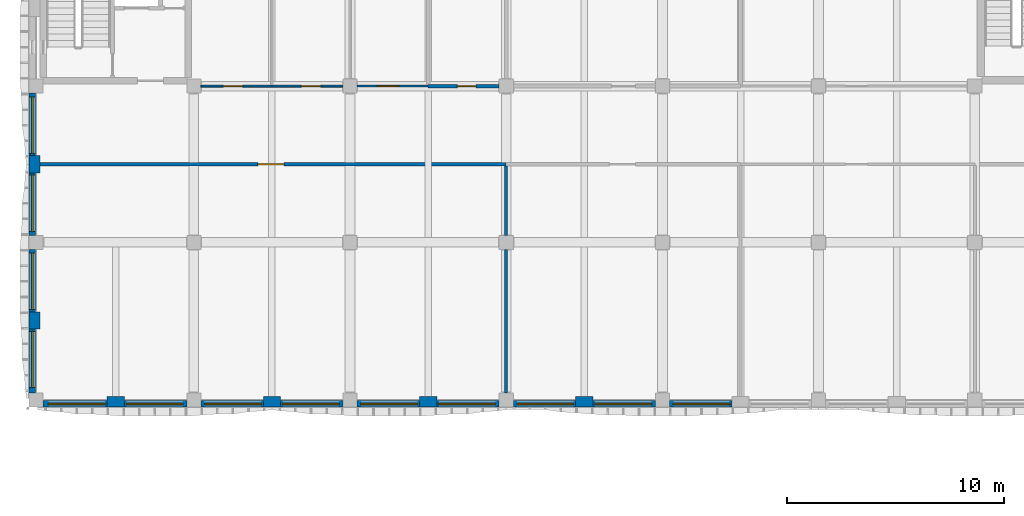
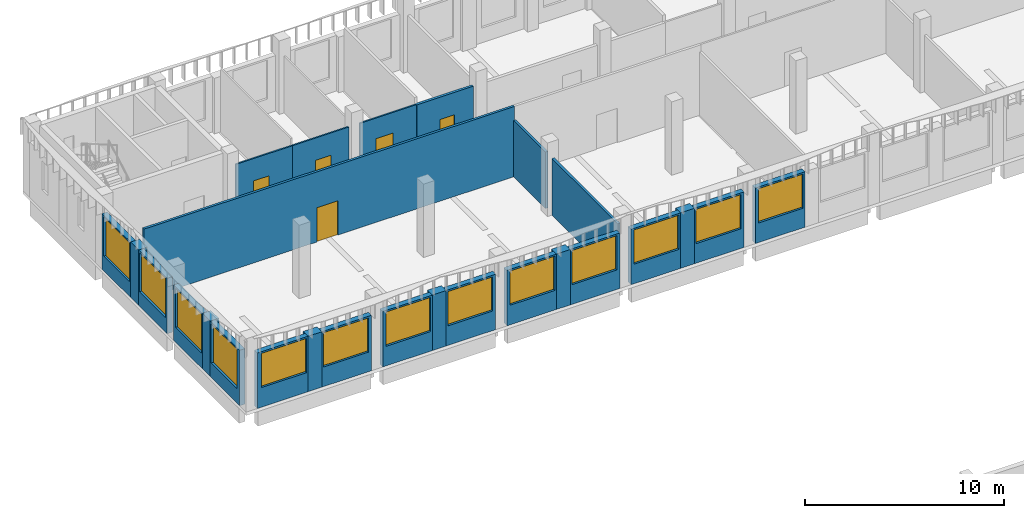
# One storey, part 26 of 58: 26 walls, 13 windows, 5 doors, 18 openings.
"""IFC4 building model written with IfcOpenShell, lengths in metres."""

from ifc_helpers import new_model, si_unit, direction, frame, frame_2d, origin, place, context, subcontext, project, spatial, rectangle, extrude, material, layer, layer_set, type_object, element, fill, save


model = new_model("IFC4")

# Units and contexts
model_context = context("Model", 3, precision=1e-05, world=origin(), true_north=direction((0.0, 1.0)))
body_context = subcontext(model_context, "Body", "Model", "MODEL_VIEW")
ifc_project = project(units=[si_unit("LENGTHUNIT", "METRE"), si_unit("AREAUNIT", "SQUARE_METRE"), si_unit("VOLUMEUNIT", "CUBIC_METRE"), si_unit("PLANEANGLEUNIT", "RADIAN"), si_unit("MASSUNIT", "GRAM", prefix="KILO")], contexts=[model_context])

# Site, building, storey
site_placement = place(None, origin())
site = spatial("IfcSite", under=ifc_project, at=site_placement, CompositionType="ELEMENT")
building_placement = place(site_placement, origin())
building = spatial("IfcBuilding", under=site, at=building_placement, Name="Ussher Court Research Institute", CompositionType="ELEMENT")
storey_placement = place(building_placement, frame((0.0, 0.0, 9.89990234375)))
storey = spatial("IfcBuildingStorey", under=building, at=storey_placement, Name="L02", CompositionType="ELEMENT", Elevation=9.89990234375)

# Wall, opening, window
ifc_material_1 = material(Name="Blockwork with cream render", Category="masonry")
ifc_layer_1 = layer(ifc_material_1, 0.300048828125)
ifc_layer_set_1 = layer_set([ifc_layer_1], Name="Blockwork with cream render")
wall_type_1 = type_object("IfcWallType", Name="External wall 300 cream render", PredefinedType="SOLIDWALL", material=ifc_layer_set_1)
wall_1_placement = place(storey_placement, frame((35.0, 68.550048828125, 0.0), z_axis=(0.0, 0.0, 1.0), x_axis=(-1.0, 0.0, 0.0)))
wall_1 = element("IfcWall", 1, at=wall_1_placement, inside=storey, type_object=wall_type_1, Name="External wall EW1 L02", PredefinedType="SOLIDWALL", context=body_context, shape_type="SweptSolid", body=[
    extrude(rectangle(XDim=2.875, YDim=0.300048828125, at=frame_2d((1.4375, 0.0))), origin(), (0.0, 0.0, 1.0), 3.400146484375),
])
opening_1_placement = place(wall_1_placement, frame((0.10009765625, 0.0, 1.199951171875)))
opening_1 = element("IfcOpeningElement", 2, at=opening_1_placement, cuts=wall_1, Name="Opening W08", PredefinedType="OPENING", context=body_context, shape_type="SweptSolid", body=[
    extrude(rectangle(XDim=2.60009765625, YDim=2.10009765625, at=frame_2d((1.300048828125, 1.050048828125))), frame((0.0, 0.16015625, 0.0), z_axis=(0.0, -1.0, 0.0), x_axis=(1.0, 0.0, 0.0)), (0.0, 0.0, 1.0), 0.320068359375),
])
ifc_material_2 = material(Name="Bronze anodised aluminium with double glazing", Category="aluminium")
window_type_1 = type_object("IfcWindowType", Name="Dry laboratory bay window 2600x2100", PartitioningType="DOUBLE_PANEL_VERTICAL", PredefinedType="WINDOW", material=ifc_material_2)
window_1_placement = place(opening_1_placement, origin())
window_1 = element("IfcWindow", 3, at=window_1_placement, inside=storey, type_object=window_type_1, Name="Window W08 L02", OverallHeight=2.10009765625, OverallWidth=2.60009765625, PartitioningType="SINGLE_PANEL", PredefinedType="WINDOW", context=body_context, shape_type="SweptSolid", body=[
    extrude(rectangle(XDim=2.60009765625, YDim=2.10009765625, at=frame_2d((1.300048828125, 1.050048828125))), frame((0.0, 0.030029296875, 0.0), z_axis=(0.0, -1.0, 0.0), x_axis=(1.0, 0.0, 0.0)), (0.0, 0.0, 1.0), 0.06005859375),
])
fill(opening_1, window_1)

wall_2_placement = place(storey_placement, frame((31.47509765625, 68.550048828125, 0.0), z_axis=(0.0, 0.0, 1.0), x_axis=(-1.0, 0.0, 0.0)))
wall_2 = element("IfcWall", 4, at=wall_2_placement, inside=storey, type_object=wall_type_1, Name="External wall EW1 L02", PredefinedType="SOLIDWALL", context=body_context, shape_type="SweptSolid", body=[
    extrude(rectangle(XDim=2.875, YDim=0.300048828125, at=frame_2d((1.4375, 0.0))), origin(), (0.0, 0.0, 1.0), 3.400146484375),
])
opening_2_placement = place(wall_2_placement, frame((0.175048828125, 0.0, 1.199951171875)))
opening_2 = element("IfcOpeningElement", 5, at=opening_2_placement, cuts=wall_2, Name="Opening W08", PredefinedType="OPENING", context=body_context, shape_type="SweptSolid", body=[
    extrude(rectangle(XDim=2.60009765625, YDim=2.10009765625, at=frame_2d((1.300048828125, 1.050048828125))), frame((0.0, 0.16015625, 0.0), z_axis=(0.0, -1.0, 0.0), x_axis=(1.0, 0.0, 0.0)), (0.0, 0.0, 1.0), 0.320068359375),
])
window_2_placement = place(opening_2_placement, origin())
window_2 = element("IfcWindow", 6, at=window_2_placement, inside=storey, type_object=window_type_1, Name="Window W08 L02", OverallHeight=2.10009765625, OverallWidth=2.60009765625, PartitioningType="SINGLE_PANEL", PredefinedType="WINDOW", context=body_context, shape_type="SweptSolid", body=[
    extrude(rectangle(XDim=2.60009765625, YDim=2.10009765625, at=frame_2d((1.300048828125, 1.050048828125))), frame((0.0, 0.030029296875, 0.0), z_axis=(0.0, -1.0, 0.0), x_axis=(1.0, 0.0, 0.0)), (0.0, 0.0, 1.0), 0.06005859375),
])
fill(opening_2, window_2)

wall_3_placement = place(storey_placement, frame((27.800048828125, 68.550048828125, 0.0), z_axis=(0.0, 0.0, 1.0), x_axis=(-1.0, 0.0, 0.0)))
wall_3 = element("IfcWall", 7, at=wall_3_placement, inside=storey, type_object=wall_type_1, Name="External wall EW1 L02", PredefinedType="SOLIDWALL", context=body_context, shape_type="SweptSolid", body=[
    extrude(rectangle(XDim=2.875, YDim=0.300048828125, at=frame_2d((1.4375, 0.0))), origin(), (0.0, 0.0, 1.0), 3.400146484375),
])
opening_3_placement = place(wall_3_placement, frame((0.10009765625, 0.0, 1.199951171875)))
opening_3 = element("IfcOpeningElement", 8, at=opening_3_placement, cuts=wall_3, Name="Opening W08", PredefinedType="OPENING", context=body_context, shape_type="SweptSolid", body=[
    extrude(rectangle(XDim=2.60009765625, YDim=2.10009765625, at=frame_2d((1.300048828125, 1.050048828125))), frame((0.0, 0.16015625, 0.0), z_axis=(0.0, -1.0, 0.0), x_axis=(1.0, 0.0, 0.0)), (0.0, 0.0, 1.0), 0.320068359375),
])
window_3_placement = place(opening_3_placement, origin())
window_3 = element("IfcWindow", 9, at=window_3_placement, inside=storey, type_object=window_type_1, Name="Window W08 L02", OverallHeight=2.10009765625, OverallWidth=2.60009765625, PartitioningType="SINGLE_PANEL", PredefinedType="WINDOW", context=body_context, shape_type="SweptSolid", body=[
    extrude(rectangle(XDim=2.60009765625, YDim=2.10009765625, at=frame_2d((1.300048828125, 1.050048828125))), frame((0.0, 0.030029296875, 0.0), z_axis=(0.0, -1.0, 0.0), x_axis=(1.0, 0.0, 0.0)), (0.0, 0.0, 1.0), 0.06005859375),
])
fill(opening_3, window_3)

wall_4_placement = place(storey_placement, frame((24.27490234375, 68.550048828125, 0.0), z_axis=(0.0, 0.0, 1.0), x_axis=(-1.0, 0.0, 0.0)))
wall_4 = element("IfcWall", 10, at=wall_4_placement, inside=storey, type_object=wall_type_1, Name="External wall EW1 L02", PredefinedType="SOLIDWALL", context=body_context, shape_type="SweptSolid", body=[
    extrude(rectangle(XDim=2.875, YDim=0.300048828125, at=frame_2d((1.4375, 0.0))), origin(), (0.0, 0.0, 1.0), 3.400146484375),
])
opening_4_placement = place(wall_4_placement, frame((0.175048828125, 0.0, 1.199951171875)))
opening_4 = element("IfcOpeningElement", 11, at=opening_4_placement, cuts=wall_4, Name="Opening W08", PredefinedType="OPENING", context=body_context, shape_type="SweptSolid", body=[
    extrude(rectangle(XDim=2.60009765625, YDim=2.10009765625, at=frame_2d((1.300048828125, 1.050048828125))), frame((0.0, 0.16015625, 0.0), z_axis=(0.0, -1.0, 0.0), x_axis=(1.0, 0.0, 0.0)), (0.0, 0.0, 1.0), 0.320068359375),
])
window_4_placement = place(opening_4_placement, origin())
window_4 = element("IfcWindow", 12, at=window_4_placement, inside=storey, type_object=window_type_1, Name="Window W08 L02", OverallHeight=2.10009765625, OverallWidth=2.60009765625, PartitioningType="SINGLE_PANEL", PredefinedType="WINDOW", context=body_context, shape_type="SweptSolid", body=[
    extrude(rectangle(XDim=2.60009765625, YDim=2.10009765625, at=frame_2d((1.300048828125, 1.050048828125))), frame((0.0, 0.030029296875, 0.0), z_axis=(0.0, -1.0, 0.0), x_axis=(1.0, 0.0, 0.0)), (0.0, 0.0, 1.0), 0.06005859375),
])
fill(opening_4, window_4)

wall_5_placement = place(storey_placement, frame((20.60009765625, 68.550048828125, 0.0), z_axis=(0.0, 0.0, 1.0), x_axis=(-1.0, 0.0, 0.0)))
wall_5 = element("IfcWall", 13, at=wall_5_placement, inside=storey, type_object=wall_type_1, Name="External wall EW1 L02", PredefinedType="SOLIDWALL", context=body_context, shape_type="SweptSolid", body=[
    extrude(rectangle(XDim=2.875, YDim=0.300048828125, at=frame_2d((1.4375, 0.0))), origin(), (0.0, 0.0, 1.0), 3.400146484375),
])
opening_5_placement = place(wall_5_placement, frame((0.10009765625, 0.0, 1.199951171875)))
opening_5 = element("IfcOpeningElement", 14, at=opening_5_placement, cuts=wall_5, Name="Opening W08", PredefinedType="OPENING", context=body_context, shape_type="SweptSolid", body=[
    extrude(rectangle(XDim=2.60009765625, YDim=2.10009765625, at=frame_2d((1.300048828125, 1.050048828125))), frame((0.0, 0.16015625, 0.0), z_axis=(0.0, -1.0, 0.0), x_axis=(1.0, 0.0, 0.0)), (0.0, 0.0, 1.0), 0.320068359375),
])
window_5_placement = place(opening_5_placement, origin())
window_5 = element("IfcWindow", 15, at=window_5_placement, inside=storey, type_object=window_type_1, Name="Window W08 L02", OverallHeight=2.10009765625, OverallWidth=2.60009765625, PartitioningType="SINGLE_PANEL", PredefinedType="WINDOW", context=body_context, shape_type="SweptSolid", body=[
    extrude(rectangle(XDim=2.60009765625, YDim=2.10009765625, at=frame_2d((1.300048828125, 1.050048828125))), frame((0.0, 0.030029296875, 0.0), z_axis=(0.0, -1.0, 0.0), x_axis=(1.0, 0.0, 0.0)), (0.0, 0.0, 1.0), 0.06005859375),
])
fill(opening_5, window_5)

wall_6_placement = place(storey_placement, frame((17.074951171875, 68.550048828125, 0.0), z_axis=(0.0, 0.0, 1.0), x_axis=(-1.0, 0.0, 0.0)))
wall_6 = element("IfcWall", 16, at=wall_6_placement, inside=storey, type_object=wall_type_1, Name="External wall EW1 L02", PredefinedType="SOLIDWALL", context=body_context, shape_type="SweptSolid", body=[
    extrude(rectangle(XDim=2.875, YDim=0.300048828125, at=frame_2d((1.4375, 0.0))), origin(), (0.0, 0.0, 1.0), 3.400146484375),
])
opening_6_placement = place(wall_6_placement, frame((0.175048828125, 0.0, 1.199951171875)))
opening_6 = element("IfcOpeningElement", 17, at=opening_6_placement, cuts=wall_6, Name="Opening W08", PredefinedType="OPENING", context=body_context, shape_type="SweptSolid", body=[
    extrude(rectangle(XDim=2.60009765625, YDim=2.10009765625, at=frame_2d((1.300048828125, 1.050048828125))), frame((0.0, 0.16015625, 0.0), z_axis=(0.0, -1.0, 0.0), x_axis=(1.0, 0.0, 0.0)), (0.0, 0.0, 1.0), 0.320068359375),
])
window_6_placement = place(opening_6_placement, origin())
window_6 = element("IfcWindow", 18, at=window_6_placement, inside=storey, type_object=window_type_1, Name="Window W08 L02", OverallHeight=2.10009765625, OverallWidth=2.60009765625, PartitioningType="SINGLE_PANEL", PredefinedType="WINDOW", context=body_context, shape_type="SweptSolid", body=[
    extrude(rectangle(XDim=2.60009765625, YDim=2.10009765625, at=frame_2d((1.300048828125, 1.050048828125))), frame((0.0, 0.030029296875, 0.0), z_axis=(0.0, -1.0, 0.0), x_axis=(1.0, 0.0, 0.0)), (0.0, 0.0, 1.0), 0.06005859375),
])
fill(opening_6, window_6)

wall_7_placement = place(storey_placement, frame((13.39990234375, 68.550048828125, 0.0), z_axis=(0.0, 0.0, 1.0), x_axis=(-1.0, 0.0, 0.0)))
wall_7 = element("IfcWall", 19, at=wall_7_placement, inside=storey, type_object=wall_type_1, Name="External wall EW1 L02", PredefinedType="SOLIDWALL", context=body_context, shape_type="SweptSolid", body=[
    extrude(rectangle(XDim=2.875, YDim=0.300048828125, at=frame_2d((1.4375, 0.0))), origin(), (0.0, 0.0, 1.0), 3.400146484375),
])
opening_7_placement = place(wall_7_placement, frame((0.10009765625, 0.0, 1.199951171875)))
opening_7 = element("IfcOpeningElement", 20, at=opening_7_placement, cuts=wall_7, Name="Opening W08", PredefinedType="OPENING", context=body_context, shape_type="SweptSolid", body=[
    extrude(rectangle(XDim=2.60009765625, YDim=2.10009765625, at=frame_2d((1.300048828125, 1.050048828125))), frame((0.0, 0.16015625, 0.0), z_axis=(0.0, -1.0, 0.0), x_axis=(1.0, 0.0, 0.0)), (0.0, 0.0, 1.0), 0.320068359375),
])
window_7_placement = place(opening_7_placement, origin())
window_7 = element("IfcWindow", 21, at=window_7_placement, inside=storey, type_object=window_type_1, Name="Window W08 L02", OverallHeight=2.10009765625, OverallWidth=2.60009765625, PartitioningType="SINGLE_PANEL", PredefinedType="WINDOW", context=body_context, shape_type="SweptSolid", body=[
    extrude(rectangle(XDim=2.60009765625, YDim=2.10009765625, at=frame_2d((1.300048828125, 1.050048828125))), frame((0.0, 0.030029296875, 0.0), z_axis=(0.0, -1.0, 0.0), x_axis=(1.0, 0.0, 0.0)), (0.0, 0.0, 1.0), 0.06005859375),
])
fill(opening_7, window_7)

wall_8_placement = place(storey_placement, frame((9.875, 68.550048828125, 0.0), z_axis=(0.0, 0.0, 1.0), x_axis=(-1.0, 0.0, 0.0)))
wall_8 = element("IfcWall", 22, at=wall_8_placement, inside=storey, type_object=wall_type_1, Name="External wall EW1 L02", PredefinedType="SOLIDWALL", context=body_context, shape_type="SweptSolid", body=[
    extrude(rectangle(XDim=2.875, YDim=0.300048828125, at=frame_2d((1.4375, 0.0))), origin(), (0.0, 0.0, 1.0), 3.400146484375),
])
opening_8_placement = place(wall_8_placement, frame((0.175048828125, 0.0, 1.199951171875)))
opening_8 = element("IfcOpeningElement", 23, at=opening_8_placement, cuts=wall_8, Name="Opening W08", PredefinedType="OPENING", context=body_context, shape_type="SweptSolid", body=[
    extrude(rectangle(XDim=2.60009765625, YDim=2.10009765625, at=frame_2d((1.300048828125, 1.050048828125))), frame((0.0, 0.16015625, 0.0), z_axis=(0.0, -1.0, 0.0), x_axis=(1.0, 0.0, 0.0)), (0.0, 0.0, 1.0), 0.320068359375),
])
window_8_placement = place(opening_8_placement, origin())
window_8 = element("IfcWindow", 24, at=window_8_placement, inside=storey, type_object=window_type_1, Name="Window W08 L02", OverallHeight=2.10009765625, OverallWidth=2.60009765625, PartitioningType="SINGLE_PANEL", PredefinedType="WINDOW", context=body_context, shape_type="SweptSolid", body=[
    extrude(rectangle(XDim=2.60009765625, YDim=2.10009765625, at=frame_2d((1.300048828125, 1.050048828125))), frame((0.0, 0.030029296875, 0.0), z_axis=(0.0, -1.0, 0.0), x_axis=(1.0, 0.0, 0.0)), (0.0, 0.0, 1.0), 0.06005859375),
])
fill(opening_8, window_8)

wall_9_placement = place(storey_placement, frame((6.199951171875, 68.550048828125, 0.0), z_axis=(0.0, 0.0, 1.0), x_axis=(-1.0, 0.0, 0.0)))
wall_9 = element("IfcWall", 25, at=wall_9_placement, inside=storey, type_object=wall_type_1, Name="External wall EW1 L02", PredefinedType="SOLIDWALL", context=body_context, shape_type="SweptSolid", body=[
    extrude(rectangle(XDim=2.949951171875, YDim=0.300048828125, at=frame_2d((1.47509765625, 0.0))), origin(), (0.0, 0.0, 1.0), 3.400146484375),
])
opening_9_placement = place(wall_9_placement, frame((0.10009765625, 0.0, 1.199951171875)))
opening_9 = element("IfcOpeningElement", 26, at=opening_9_placement, cuts=wall_9, Name="Opening W08", PredefinedType="OPENING", context=body_context, shape_type="SweptSolid", body=[
    extrude(rectangle(XDim=2.60009765625, YDim=2.10009765625, at=frame_2d((1.300048828125, 1.050048828125))), frame((0.0, 0.16015625, 0.0), z_axis=(0.0, -1.0, 0.0), x_axis=(1.0, 0.0, 0.0)), (0.0, 0.0, 1.0), 0.320068359375),
])
window_9_placement = place(opening_9_placement, origin())
window_9 = element("IfcWindow", 27, at=window_9_placement, inside=storey, type_object=window_type_1, Name="Window W08 L02", OverallHeight=2.10009765625, OverallWidth=2.60009765625, PartitioningType="SINGLE_PANEL", PredefinedType="WINDOW", context=body_context, shape_type="SweptSolid", body=[
    extrude(rectangle(XDim=2.60009765625, YDim=2.10009765625, at=frame_2d((1.300048828125, 1.050048828125))), frame((0.0, 0.030029296875, 0.0), z_axis=(0.0, -1.0, 0.0), x_axis=(1.0, 0.0, 0.0)), (0.0, 0.0, 1.0), 0.06005859375),
])
fill(opening_9, window_9)

wall_10_placement = place(storey_placement, frame((2.75, 69.050048828125, 0.0), z_axis=(0.0, 0.0, 1.0), x_axis=(0.0, 1.0, 0.0)))
wall_10 = element("IfcWall", 28, at=wall_10_placement, inside=storey, type_object=wall_type_1, Name="External wall EW1 L02", PredefinedType="SOLIDWALL", context=body_context, shape_type="SweptSolid", body=[
    extrude(rectangle(XDim=2.949951171875, YDim=0.300048828125, at=frame_2d((1.47509765625, 0.0))), origin(), (0.0, 0.0, 1.0), 3.400146484375),
])
opening_10_placement = place(wall_10_placement, frame((0.25, 0.0, 0.89990234375)))
opening_10 = element("IfcOpeningElement", 29, at=opening_10_placement, cuts=wall_10, Name="Opening W01", PredefinedType="OPENING", context=body_context, shape_type="SweptSolid", body=[
    extrude(rectangle(XDim=2.60009765625, YDim=2.39990234375, at=frame_2d((1.300048828125, 1.199951171875))), frame((0.0, 0.16015625, 0.0), z_axis=(0.0, -1.0, 0.0), x_axis=(1.0, 0.0, 0.0)), (0.0, 0.0, 1.0), 0.320068359375),
])
ifc_material_3 = material(Name="Bronze anodised aluminium with double glazing", Category="aluminium")
window_type_2 = type_object("IfcWindowType", Name="Laboratory bay window 2600x2400", PartitioningType="DOUBLE_PANEL_VERTICAL", PredefinedType="WINDOW", material=ifc_material_3)
window_10_placement = place(opening_10_placement, origin())
window_10 = element("IfcWindow", 30, at=window_10_placement, inside=storey, type_object=window_type_2, Name="Window W01 L02", OverallHeight=2.39990234375, OverallWidth=2.60009765625, PartitioningType="SINGLE_PANEL", PredefinedType="WINDOW", context=body_context, shape_type="SweptSolid", body=[
    extrude(rectangle(XDim=2.60009765625, YDim=2.39990234375, at=frame_2d((1.300048828125, 1.199951171875))), frame((0.0, 0.030029296875, 0.0), z_axis=(0.0, -1.0, 0.0), x_axis=(1.0, 0.0, 0.0)), (0.0, 0.0, 1.0), 0.06005859375),
])
fill(opening_10, window_10)

wall_11_placement = place(storey_placement, frame((2.75, 72.800048828125, 0.0), z_axis=(0.0, 0.0, 1.0), x_axis=(0.0, 1.0, 0.0)))
wall_11 = element("IfcWall", 31, at=wall_11_placement, inside=storey, type_object=wall_type_1, Name="External wall EW1 L02", PredefinedType="SOLIDWALL", context=body_context, shape_type="SweptSolid", body=[
    extrude(rectangle(XDim=2.875, YDim=0.300048828125, at=frame_2d((1.4375, 0.0))), origin(), (0.0, 0.0, 1.0), 3.400146484375),
])
opening_11_placement = place(wall_11_placement, frame((0.10009765625, 0.0, 0.89990234375)))
opening_11 = element("IfcOpeningElement", 32, at=opening_11_placement, cuts=wall_11, Name="Opening W01", PredefinedType="OPENING", context=body_context, shape_type="SweptSolid", body=[
    extrude(rectangle(XDim=2.60009765625, YDim=2.39990234375, at=frame_2d((1.300048828125, 1.199951171875))), frame((0.0, 0.16015625, 0.0), z_axis=(0.0, -1.0, 0.0), x_axis=(1.0, 0.0, 0.0)), (0.0, 0.0, 1.0), 0.320068359375),
])
window_11_placement = place(opening_11_placement, origin())
window_11 = element("IfcWindow", 33, at=window_11_placement, inside=storey, type_object=window_type_2, Name="Window W01 L02", OverallHeight=2.39990234375, OverallWidth=2.60009765625, PartitioningType="SINGLE_PANEL", PredefinedType="WINDOW", context=body_context, shape_type="SweptSolid", body=[
    extrude(rectangle(XDim=2.60009765625, YDim=2.39990234375, at=frame_2d((1.300048828125, 1.199951171875))), frame((0.0, 0.030029296875, 0.0), z_axis=(0.0, -1.0, 0.0), x_axis=(1.0, 0.0, 0.0)), (0.0, 0.0, 1.0), 0.06005859375),
])
fill(opening_11, window_11)

wall_12_placement = place(storey_placement, frame((2.75, 76.324951171875, 0.0), z_axis=(0.0, 0.0, 1.0), x_axis=(0.0, 1.0, 0.0)))
wall_12 = element("IfcWall", 34, at=wall_12_placement, inside=storey, type_object=wall_type_1, Name="External wall EW1 L02", PredefinedType="SOLIDWALL", context=body_context, shape_type="SweptSolid", body=[
    extrude(rectangle(XDim=2.875, YDim=0.300048828125, at=frame_2d((1.4375, 0.0))), origin(), (0.0, 0.0, 1.0), 3.400146484375),
])
opening_12_placement = place(wall_12_placement, frame((0.175048828125, 0.0, 0.89990234375)))
opening_12 = element("IfcOpeningElement", 35, at=opening_12_placement, cuts=wall_12, Name="Opening W01", PredefinedType="OPENING", context=body_context, shape_type="SweptSolid", body=[
    extrude(rectangle(XDim=2.60009765625, YDim=2.39990234375, at=frame_2d((1.300048828125, 1.199951171875))), frame((0.0, 0.16015625, 0.0), z_axis=(0.0, -1.0, 0.0), x_axis=(1.0, 0.0, 0.0)), (0.0, 0.0, 1.0), 0.320068359375),
])
window_12_placement = place(opening_12_placement, origin())
window_12 = element("IfcWindow", 36, at=window_12_placement, inside=storey, type_object=window_type_2, Name="Window W01 L02", OverallHeight=2.39990234375, OverallWidth=2.60009765625, PartitioningType="SINGLE_PANEL", PredefinedType="WINDOW", context=body_context, shape_type="SweptSolid", body=[
    extrude(rectangle(XDim=2.60009765625, YDim=2.39990234375, at=frame_2d((1.300048828125, 1.199951171875))), frame((0.0, 0.030029296875, 0.0), z_axis=(0.0, -1.0, 0.0), x_axis=(1.0, 0.0, 0.0)), (0.0, 0.0, 1.0), 0.06005859375),
])
fill(opening_12, window_12)

wall_13_placement = place(storey_placement, frame((2.75, 80.0, 0.0), z_axis=(0.0, 0.0, 1.0), x_axis=(0.0, 1.0, 0.0)))
wall_13 = element("IfcWall", 37, at=wall_13_placement, inside=storey, type_object=wall_type_1, Name="External wall EW1 L02", PredefinedType="SOLIDWALL", context=body_context, shape_type="SweptSolid", body=[
    extrude(rectangle(XDim=2.875, YDim=0.300048828125, at=frame_2d((1.4375, 0.0))), origin(), (0.0, 0.0, 1.0), 3.400146484375),
])
opening_13_placement = place(wall_13_placement, frame((0.10009765625, 0.0, 0.89990234375)))
opening_13 = element("IfcOpeningElement", 38, at=opening_13_placement, cuts=wall_13, Name="Opening W01", PredefinedType="OPENING", context=body_context, shape_type="SweptSolid", body=[
    extrude(rectangle(XDim=2.60009765625, YDim=2.39990234375, at=frame_2d((1.300048828125, 1.199951171875))), frame((0.0, 0.16015625, 0.0), z_axis=(0.0, -1.0, 0.0), x_axis=(1.0, 0.0, 0.0)), (0.0, 0.0, 1.0), 0.320068359375),
])
window_13_placement = place(opening_13_placement, origin())
window_13 = element("IfcWindow", 39, at=window_13_placement, inside=storey, type_object=window_type_2, Name="Window W01 L02", OverallHeight=2.39990234375, OverallWidth=2.60009765625, PartitioningType="SINGLE_PANEL", PredefinedType="WINDOW", context=body_context, shape_type="SweptSolid", body=[
    extrude(rectangle(XDim=2.60009765625, YDim=2.39990234375, at=frame_2d((1.300048828125, 1.199951171875))), frame((0.0, 0.030029296875, 0.0), z_axis=(0.0, -1.0, 0.0), x_axis=(1.0, 0.0, 0.0)), (0.0, 0.0, 1.0), 0.06005859375),
])
fill(opening_13, window_13)

# Wall, opening, door
ifc_material_4 = material(Name="Plastered blockwork", Category="masonry")
ifc_layer_2 = layer(ifc_material_4, 0.14990234375)
ifc_layer_set_2 = layer_set([ifc_layer_2], Name="Plastered blockwork")
wall_type_2 = type_object("IfcWallType", Name="Fire partition blockwork 150 EI 60", PredefinedType="PARTITIONING", material=ifc_layer_set_2)
wall_14_placement = place(storey_placement, frame((21.0, 83.199951171875, 0.0), z_axis=(0.0, 0.0, 1.0), x_axis=(1.0, 0.0, 0.0)))
wall_14 = element("IfcWall", 40, at=wall_14_placement, inside=storey, type_object=wall_type_2, Name="Fire partition", PredefinedType="PARTITIONING", context=body_context, shape_type="SweptSolid", body=[
    extrude(rectangle(XDim=3.27490234375, YDim=0.14990234375, at=frame_2d((1.637451171875, 0.0))), origin(), (0.0, 0.0, 1.0), 3.47021484375),
])
opening_14_placement = place(wall_14_placement, frame((1.35009765625, 0.0, 0.0)))
opening_14 = element("IfcOpeningElement", 41, at=opening_14_placement, cuts=wall_14, Name="Opening D02008", PredefinedType="OPENING", context=body_context, shape_type="SweptSolid", body=[
    extrude(rectangle(XDim=0.85009765625, YDim=2.10009765625, at=frame_2d((0.425048828125, 1.050048828125))), frame((0.0, 0.0849609375, 0.0), z_axis=(0.0, -1.0, 0.0), x_axis=(1.0, 0.0, 0.0)), (0.0, 0.0, 1.0), 0.169921875),
])
ifc_material_5 = material(Name="Painted steel faced fire door", Category="steel")
door_type_1 = type_object("IfcDoorType", Name="Service store door 850x2100 FD60", OperationType="NOTDEFINED", PredefinedType="DOOR", material=ifc_material_5)
door_1_placement = place(opening_14_placement, origin())
door_1 = element("IfcDoor", 42, at=door_1_placement, inside=storey, type_object=door_type_1, Name="Door D02008", OperationType="SINGLE_SWING_RIGHT", OverallHeight=2.10009765625, OverallWidth=0.85009765625, PredefinedType="DOOR", context=body_context, shape_type="SweptSolid", body=[
    extrude(rectangle(XDim=0.85009765625, YDim=2.10009765625, at=frame_2d((0.425048828125, 1.050048828125))), frame((0.0, 0.02490234375, 0.0), z_axis=(0.0, -1.0, 0.0), x_axis=(1.0, 0.0, 0.0)), (0.0, 0.0, 1.0), 0.050048828125),
])
fill(opening_14, door_1)

ifc_material_6 = material(Name="Plastered blockwork", Category="masonry")
ifc_layer_3 = layer(ifc_material_6, 0.139892578125)
ifc_layer_set_3 = layer_set([ifc_layer_3], Name="Plastered blockwork")
wall_type_3 = type_object("IfcWallType", Name="Laboratory blockwork partition 140", PredefinedType="PARTITIONING", material=ifc_layer_set_3)
wall_15_placement = place(storey_placement, frame((24.60009765625, 79.60009765625, 0.0), z_axis=(0.0, 0.0, 1.0), x_axis=(-1.0, 0.0, 0.0)))
wall_15 = element("IfcWall", 43, at=wall_15_placement, inside=storey, type_object=wall_type_3, Name="Partition", PredefinedType="PARTITIONING", context=body_context, shape_type="SweptSolid", body=[
    extrude(rectangle(XDim=21.5, YDim=0.139892578125, at=frame_2d((10.75, 0.0))), origin(), (0.0, 0.0, 1.0), 4.300048828125),
])
opening_15_placement = place(wall_15_placement, frame((10.25, 0.0, 0.0)))
opening_15 = element("IfcOpeningElement", 44, at=opening_15_placement, cuts=wall_15, Name="Opening D02005", PredefinedType="OPENING", context=body_context, shape_type="SweptSolid", body=[
    extrude(rectangle(XDim=1.199951171875, YDim=2.10009765625, at=frame_2d((0.60009765625, 1.050048828125))), frame((0.0, 0.080078125, 0.0), z_axis=(0.0, -1.0, 0.0), x_axis=(1.0, 0.0, 0.0)), (0.0, 0.0, 1.0), 0.159912109375),
])
ifc_material_7 = material(Name="Veneered timber door", Category="wood")
door_type_2 = type_object("IfcDoorType", Name="Laboratory door 1200x2100", OperationType="NOTDEFINED", PredefinedType="DOOR", material=ifc_material_7)
door_2_placement = place(opening_15_placement, origin())
door_2 = element("IfcDoor", 45, at=door_2_placement, inside=storey, type_object=door_type_2, Name="Door D02005", OperationType="SINGLE_SWING_RIGHT", OverallHeight=2.10009765625, OverallWidth=1.199951171875, PredefinedType="DOOR", context=body_context, shape_type="SweptSolid", body=[
    extrude(rectangle(XDim=1.199951171875, YDim=2.10009765625, at=frame_2d((0.60009765625, 1.050048828125))), frame((0.0, 0.02490234375, 0.0), z_axis=(0.0, -1.0, 0.0), x_axis=(1.0, 0.0, 0.0)), (0.0, 0.0, 1.0), 0.050048828125),
])
fill(opening_15, door_2)

# Walls
wall_16_placement = place(storey_placement, frame((24.60009765625, 69.050048828125, 0.0), z_axis=(0.0, 0.0, 1.0), x_axis=(0.0, 1.0, 0.0)))
element("IfcWall", 46, at=wall_16_placement, inside=storey, type_object=wall_type_3, Name="Partition", PredefinedType="PARTITIONING", context=body_context, shape_type="SweptSolid", body=[
    extrude(rectangle(XDim=6.625, YDim=0.139892578125, at=frame_2d((3.3125, 0.0))), origin(), (0.0, 0.0, 1.0), 3.47021484375),
])
wall_17_placement = place(storey_placement, frame((24.60009765625, 76.324951171875, 0.0), z_axis=(0.0, 0.0, 1.0), x_axis=(0.0, 1.0, 0.0)))
element("IfcWall", 47, at=wall_17_placement, inside=storey, type_object=wall_type_3, Name="Partition", PredefinedType="PARTITIONING", context=body_context, shape_type="SweptSolid", body=[
    extrude(rectangle(XDim=3.205078125, YDim=0.139892578125, at=frame_2d((1.6025390625, 0.0))), origin(), (0.0, 0.0, 1.0), 3.47021484375),
])
ifc_material_8 = material(Name="Blockwork with cream render", Category="masonry")
ifc_layer_4 = layer(ifc_material_8, 0.5)
ifc_layer_set_4 = layer_set([ifc_layer_4], Name="Blockwork with cream render")
wall_type_4 = type_object("IfcWallType", Name="Pier 800x500 cream render", PredefinedType="SOLIDWALL", material=ifc_layer_set_4)
wall_18_placement = place(storey_placement, frame((28.60009765625, 68.64990234375, 0.0), z_axis=(0.0, 0.0, 1.0), x_axis=(-1.0, 0.0, 0.0)))
element("IfcWall", 48, at=wall_18_placement, inside=storey, type_object=wall_type_4, Name="Pier PR1 L02", PredefinedType="SOLIDWALL", context=body_context, shape_type="SweptSolid", body=[
    extrude(rectangle(XDim=0.800048828125, YDim=0.5, at=frame_2d((0.39990234375, 0.0))), origin(), (0.0, 0.0, 1.0), 3.400146484375),
])
wall_19_placement = place(storey_placement, frame((21.39990234375, 68.64990234375, 0.0), z_axis=(0.0, 0.0, 1.0), x_axis=(-1.0, 0.0, 0.0)))
element("IfcWall", 49, at=wall_19_placement, inside=storey, type_object=wall_type_4, Name="Pier PR1 L02", PredefinedType="SOLIDWALL", context=body_context, shape_type="SweptSolid", body=[
    extrude(rectangle(XDim=0.7998046875, YDim=0.5, at=frame_2d((0.39990234375, 0.0))), origin(), (0.0, 0.0, 1.0), 3.400146484375),
])
for number, where, z_axis, x_axis, name in (
    (50, (14.199951171875, 68.64990234375, 0.0), (0.0, 0.0, 1.0), (-1.0, 0.0, 0.0), "Pier PR1 L02"),
    (51, (7.0, 68.64990234375, 0.0), (0.0, 0.0, 1.0), (-1.0, 0.0, 0.0), "Pier PR1 L02"),
    (52, (2.85009765625, 72.0, 0.0), (0.0, 0.0, 1.0), (0.0, 1.0, 0.0), "Pier PR1 L02"),
    (53, (2.85009765625, 79.199951171875, 0.0), (0.0, 0.0, 1.0), (0.0, 1.0, 0.0), "Pier PR1 L02"),
):
    element("IfcWall", number, at=place(storey_placement, frame(where, z_axis=z_axis, x_axis=x_axis)), inside=storey, type_object=wall_type_4, Name=name, PredefinedType="SOLIDWALL", context=body_context, shape_type="SweptSolid", body=[
        extrude(rectangle(XDim=0.800048828125, YDim=0.5, at=frame_2d((0.39990234375, 0.0))), origin(), (0.0, 0.0, 1.0), 3.400146484375),
    ])

# Wall, opening, door
ifc_material_9 = material(Name="Moisture-resistant board on steel studs", Category="steel")
ifc_layer_5 = layer(ifc_material_9, 0.090087890625)
ifc_layer_set_5 = layer_set([ifc_layer_5], Name="Moisture-resistant board on steel studs")
wall_type_5 = type_object("IfcWallType", Name="WC lining partition 90", PredefinedType="PARTITIONING", material=ifc_layer_set_5)
wall_20_placement = place(storey_placement, frame((10.52490234375, 83.199951171875, 0.0), z_axis=(0.0, 0.0, 1.0), x_axis=(1.0, 0.0, 0.0)))
wall_20 = element("IfcWall", 54, at=wall_20_placement, inside=storey, type_object=wall_type_5, Name="Partition", PredefinedType="PARTITIONING", context=body_context, shape_type="SweptSolid", body=[
    extrude(rectangle(XDim=3.275146484375, YDim=0.090087890625, at=frame_2d((1.6376953125, 0.0))), origin(), (0.0, 0.0, 1.0), 3.47021484375),
])
opening_16_placement = place(wall_20_placement, frame((1.02490234375, 0.0, 0.0)))
opening_16 = element("IfcOpeningElement", 55, at=opening_16_placement, cuts=wall_20, Name="Opening D02004", PredefinedType="OPENING", context=body_context, shape_type="SweptSolid", body=[
    extrude(rectangle(XDim=0.89990234375, YDim=2.10009765625, at=frame_2d((0.449951171875, 1.050048828125))), frame((0.0, 0.05517578125, 0.0), z_axis=(0.0, -1.0, 0.0), x_axis=(1.0, 0.0, 0.0)), (0.0, 0.0, 1.0), 0.110107421875),
])
ifc_material_10 = material(Name="Veneered timber door", Category="wood")
door_type_3 = type_object("IfcDoorType", Name="WC door 900x2100", OperationType="NOTDEFINED", PredefinedType="DOOR", material=ifc_material_10)
door_3_placement = place(opening_16_placement, origin())
door_3 = element("IfcDoor", 56, at=door_3_placement, inside=storey, type_object=door_type_3, Name="Door D02004", OperationType="SINGLE_SWING_LEFT", OverallHeight=2.10009765625, OverallWidth=0.89990234375, PredefinedType="DOOR", context=body_context, shape_type="SweptSolid", body=[
    extrude(rectangle(XDim=0.89990234375, YDim=2.10009765625, at=frame_2d((0.449951171875, 1.050048828125))), frame((0.0, 0.02490234375, 0.0), z_axis=(0.0, -1.0, 0.0), x_axis=(1.0, 0.0, 0.0)), (0.0, 0.0, 1.0), 0.050048828125),
])
fill(opening_16, door_3)

wall_21_placement = place(storey_placement, frame((13.800048828125, 83.199951171875, 0.0), z_axis=(0.0, 0.0, 1.0), x_axis=(1.0, 0.0, 0.0)))
wall_21 = element("IfcWall", 57, at=wall_21_placement, inside=storey, type_object=wall_type_5, Name="Partition", PredefinedType="PARTITIONING", context=body_context, shape_type="SweptSolid", body=[
    extrude(rectangle(XDim=3.27490234375, YDim=0.090087890625, at=frame_2d((1.637451171875, 0.0))), origin(), (0.0, 0.0, 1.0), 3.47021484375),
])
opening_17_placement = place(wall_21_placement, frame((1.35009765625, 0.0, 0.0)))
opening_17 = element("IfcOpeningElement", 58, at=opening_17_placement, cuts=wall_21, Name="Opening D02006", PredefinedType="OPENING", context=body_context, shape_type="SweptSolid", body=[
    extrude(rectangle(XDim=0.89990234375, YDim=2.10009765625, at=frame_2d((0.449951171875, 1.050048828125))), frame((0.0, 0.05517578125, 0.0), z_axis=(0.0, -1.0, 0.0), x_axis=(1.0, 0.0, 0.0)), (0.0, 0.0, 1.0), 0.110107421875),
])
door_4_placement = place(opening_17_placement, origin())
door_4 = element("IfcDoor", 59, at=door_4_placement, inside=storey, type_object=door_type_3, Name="Door D02006", OperationType="SINGLE_SWING_RIGHT", OverallHeight=2.10009765625, OverallWidth=0.89990234375, PredefinedType="DOOR", context=body_context, shape_type="SweptSolid", body=[
    extrude(rectangle(XDim=0.89990234375, YDim=2.10009765625, at=frame_2d((0.449951171875, 1.050048828125))), frame((0.0, 0.02490234375, 0.0), z_axis=(0.0, -1.0, 0.0), x_axis=(1.0, 0.0, 0.0)), (0.0, 0.0, 1.0), 0.050048828125),
])
fill(opening_17, door_4)

wall_22_placement = place(storey_placement, frame((17.72509765625, 83.199951171875, 0.0), z_axis=(0.0, 0.0, 1.0), x_axis=(1.0, 0.0, 0.0)))
wall_22 = element("IfcWall", 60, at=wall_22_placement, inside=storey, type_object=wall_type_5, Name="Partition", PredefinedType="PARTITIONING", context=body_context, shape_type="SweptSolid", body=[
    extrude(rectangle(XDim=3.27490234375, YDim=0.090087890625, at=frame_2d((1.637451171875, 0.0))), origin(), (0.0, 0.0, 1.0), 3.47021484375),
])
opening_18_placement = place(wall_22_placement, frame((0.925048828125, 0.0, 0.0)))
opening_18 = element("IfcOpeningElement", 61, at=opening_18_placement, cuts=wall_22, Name="Opening D02007", PredefinedType="OPENING", context=body_context, shape_type="SweptSolid", body=[
    extrude(rectangle(XDim=1.0, YDim=2.199951171875, at=frame_2d((0.5, 1.10009765625))), frame((0.0, 0.05517578125, 0.0), z_axis=(0.0, -1.0, 0.0), x_axis=(1.0, 0.0, 0.0)), (0.0, 0.0, 1.0), 0.110107421875),
])
ifc_material_11 = material(Name="Veneered timber door", Category="wood")
door_type_4 = type_object("IfcDoorType", Name="Accessible WC door 1000x2200", OperationType="NOTDEFINED", PredefinedType="DOOR", material=ifc_material_11)
door_5_placement = place(opening_18_placement, origin())
door_5 = element("IfcDoor", 62, at=door_5_placement, inside=storey, type_object=door_type_4, Name="Door D02007", OperationType="SINGLE_SWING_LEFT", OverallHeight=2.199951171875, OverallWidth=1.0, PredefinedType="DOOR", context=body_context, shape_type="SweptSolid", body=[
    extrude(rectangle(XDim=1.0, YDim=2.199951171875, at=frame_2d((0.5, 1.10009765625))), frame((0.0, 0.02490234375, 0.0), z_axis=(0.0, -1.0, 0.0), x_axis=(1.0, 0.0, 0.0)), (0.0, 0.0, 1.0), 0.050048828125),
])
fill(opening_18, door_5)

save(model, "model.ifc")
